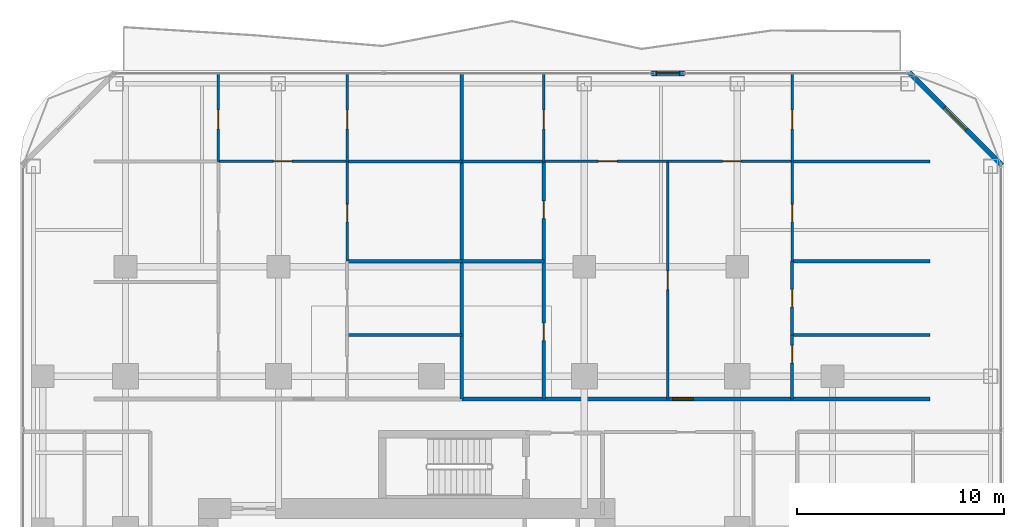
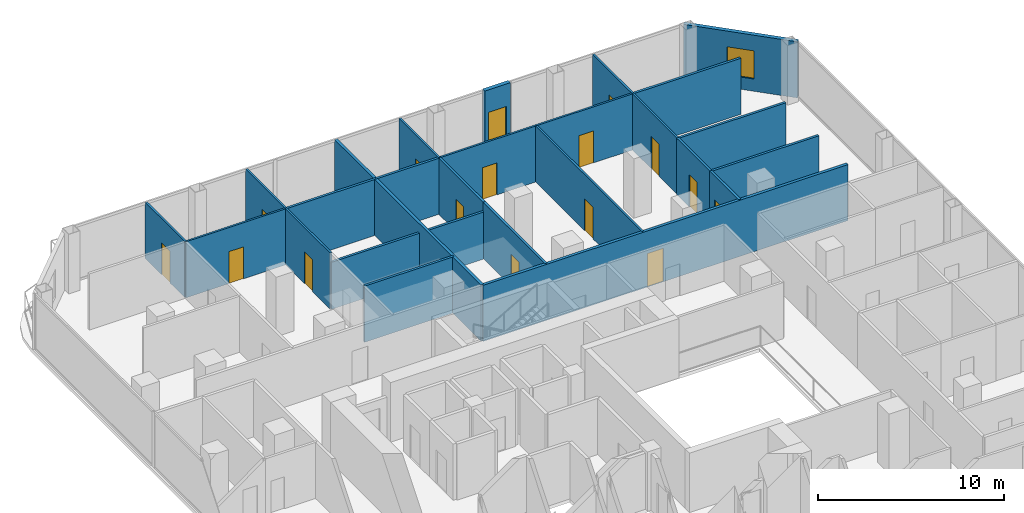
# One storey, part 23 of 27: 26 walls, 16 doors, 1 window, 17 openings.
"""IFC4 building model written with IfcOpenShell, lengths in metres."""

from ifc_helpers import new_model, si_unit, direction, frame, frame_2d, origin, place, context, subcontext, project, spatial, rectangle, extrude, material, layer, layer_set, type_object, element, fill, save


model = new_model("IFC4")

# Units and contexts
model_context = context("Model", 3, precision=1e-05, world=origin(), true_north=direction((0.0, 1.0)))
body_context = subcontext(model_context, "Body", "Model", "MODEL_VIEW")
ifc_project = project(units=[si_unit("LENGTHUNIT", "METRE"), si_unit("AREAUNIT", "SQUARE_METRE"), si_unit("VOLUMEUNIT", "CUBIC_METRE"), si_unit("PLANEANGLEUNIT", "RADIAN"), si_unit("MASSUNIT", "GRAM", prefix="KILO")], contexts=[model_context])

# Site, building, storey
site_placement = place(None, origin())
site = spatial("IfcSite", under=ifc_project, at=site_placement, CompositionType="ELEMENT")
building_placement = place(site_placement, origin())
building = spatial("IfcBuilding", under=site, at=building_placement, Name="Khorvyn Point Tower", CompositionType="ELEMENT")
storey_placement = place(building_placement, frame((0.0, 0.0, 129.0)))
storey = spatial("IfcBuildingStorey", under=building, at=storey_placement, Name="L32", CompositionType="ELEMENT", Elevation=129.0)

# Wall, opening, door
ifc_material_1 = material(Name="Double acoustic gypsum on twin steel stud", Category="steel")
ifc_layer_1 = layer(ifc_material_1, 0.179931640625)
ifc_layer_set_1 = layer_set([ifc_layer_1], Name="Acoustic Double-Stud Apartment Demising Wall 180")
wall_type_1 = type_object("IfcWallType", Name="Acoustic Double-Stud Apartment Demising Wall 180", PredefinedType="PARTITIONING", material=ifc_layer_set_1)
wall_1_placement = place(storey_placement, frame((1.47412109375, 13.699951171875, 0.0), z_axis=(0.0, 0.0, 1.0), x_axis=(1.0, 0.0, 0.0)))
wall_1 = element("IfcWall", 1, at=wall_1_placement, inside=storey, type_object=wall_type_1, Name="Wall", PredefinedType="PARTITIONING", context=body_context, shape_type="SweptSolid", body=[
    extrude(rectangle(XDim=22.64599609375, YDim=0.179931640625, at=frame_2d((11.322998046875, 0.0))), origin(), (0.0, 0.0, 1.0), 3.679931640625),
])
opening_1_placement = place(wall_1_placement, frame((10.19580078125, 0.0, 0.0)))
opening_1 = element("IfcOpeningElement", 2, at=opening_1_placement, cuts=wall_1, Name="Opening ID-AP60", PredefinedType="OPENING", context=body_context, shape_type="SweptSolid", body=[
    extrude(rectangle(XDim=1.0, YDim=2.199951171875, at=frame_2d((0.5, 1.10009765625))), frame((0.0, 0.099853515625, 0.0), z_axis=(0.0, -1.0, 0.0), x_axis=(1.0, 0.0, 0.0)), (0.0, 0.0, 1.0), 0.199951171875),
])
ifc_material_2 = material(Name="Engineered hardwood fire-rated leaf", Category="wood")
door_type_1 = type_object("IfcDoorType", Name="Acoustic Solid-Core Timber Apartment Entrance Door 1000x2200", OperationType="NOTDEFINED", PredefinedType="DOOR", material=ifc_material_2)
door_1_placement = place(opening_1_placement, origin())
door_1 = element("IfcDoor", 3, at=door_1_placement, inside=storey, type_object=door_type_1, Name="Door", OperationType="SINGLE_SWING_LEFT", OverallHeight=2.199951171875, OverallWidth=1.0, PredefinedType="DOOR", context=body_context, shape_type="SweptSolid", body=[
    extrude(rectangle(XDim=1.0, YDim=2.199951171875, at=frame_2d((0.5, 1.10009765625))), frame((0.0, 0.02490234375, 0.0), z_axis=(0.0, -1.0, 0.0), x_axis=(1.0, 0.0, 0.0)), (0.0, 0.0, 1.0), 0.050048828125),
])
fill(opening_1, door_1)

# Wall
wall_2_placement = place(storey_placement, frame((1.47412109375, 13.699951171875, 0.0), z_axis=(0.0, 0.0, 1.0), x_axis=(0.0, 1.0, 0.0)))
element("IfcWall", 4, at=wall_2_placement, inside=storey, type_object=wall_type_1, Name="Wall", PredefinedType="PARTITIONING", context=body_context, shape_type="SweptSolid", body=[
    extrude(rectangle(XDim=15.72998046875, YDim=0.179931640625, at=frame_2d((7.864990234375, 0.0))), origin(), (0.0, 0.0, 1.0), 3.679931640625),
])

# Wall, opening, door
ifc_material_3 = material(Name="Pale anodised aluminium rainscreen on steel stud", Category="steel")
ifc_layer_2 = layer(ifc_material_3, 0.239990234375)
ifc_layer_set_2 = layer_set([ifc_layer_2], Name="Anodised Aluminium Insulated Corner Spandrel Wall 240")
wall_type_2 = type_object("IfcWallType", Name="Anodised Aluminium Insulated Corner Spandrel Wall 240", PredefinedType="SOLIDWALL", material=ifc_layer_set_2)
wall_3_placement = place(storey_placement, frame((10.654052734375, 29.449951171875, 0.0), z_axis=(0.0, 0.0, 1.0), x_axis=(1.0, 0.0, 0.0)))
wall_3 = element("IfcWall", 5, at=wall_3_placement, inside=storey, type_object=wall_type_2, Name="L32 North Outdoor Threshold Wall", PredefinedType="SOLIDWALL", context=body_context, shape_type="SweptSolid", body=[
    extrude(rectangle(XDim=1.579833984375, YDim=0.239990234375, at=frame_2d((0.7900390625, 0.0))), origin(), (0.0, 0.0, 1.0), 3.679931640625),
])
opening_2_placement = place(wall_3_placement, frame((0.239990234375, 0.0, 0.0)))
opening_2 = element("IfcOpeningElement", 6, at=opening_2_placement, cuts=wall_3, Name="Opening BD-1122", PredefinedType="OPENING", context=body_context, shape_type="SweptSolid", body=[
    extrude(rectangle(XDim=1.10009765625, YDim=2.199951171875, at=frame_2d((0.550048828125, 1.10009765625))), frame((0.0, 0.1298828125, 0.0), z_axis=(0.0, -1.0, 0.0), x_axis=(1.0, 0.0, 0.0)), (0.0, 0.0, 1.0), 0.260009765625),
])
ifc_material_4 = material(Name="Anodised aluminium 6063-T6 and laminated Low-E glass", Category="aluminium")
door_type_2 = type_object("IfcDoorType", Name="Glazed Balcony and Terrace Threshold Door 1100x2200", OperationType="NOTDEFINED", PredefinedType="DOOR", material=ifc_material_4)
door_2_placement = place(opening_2_placement, origin())
door_2 = element("IfcDoor", 7, at=door_2_placement, inside=storey, type_object=door_type_2, Name="L32 North Glazed Balcony Outdoor Door", OperationType="SINGLE_SWING_LEFT", OverallHeight=2.199951171875, OverallWidth=1.10009765625, PredefinedType="DOOR", context=body_context, shape_type="SweptSolid", body=[
    extrude(rectangle(XDim=1.10009765625, YDim=2.199951171875, at=frame_2d((0.550048828125, 1.10009765625))), frame((0.0, 0.02490234375, 0.0), z_axis=(0.0, -1.0, 0.0), x_axis=(1.0, 0.0, 0.0)), (0.0, 0.0, 1.0), 0.050048828125),
])
fill(opening_2, door_2)

# Wall, opening, window
wall_4_placement = place(storey_placement, frame((23.107666015625, 29.492431640625, 0.0), z_axis=(0.0, 0.0, 1.0), x_axis=(0.707087534163, -0.707126027686, 0.0)))
wall_4 = element("IfcWall", 8, at=wall_4_placement, inside=storey, type_object=wall_type_2, Name="L32 Rounded Corner Wall NE", PredefinedType="SOLIDWALL", context=body_context, shape_type="SweptSolid", body=[
    extrude(rectangle(XDim=6.34228515625, YDim=0.239990234375, at=frame_2d((3.171142578125, 0.0))), origin(), (0.0, 0.0, 1.0), 3.679931640625),
])
opening_3_placement = place(wall_4_placement, frame((2.42138671875, 0.0, 0.800048828125)))
opening_3 = element("IfcOpeningElement", 9, at=opening_3_placement, cuts=wall_4, Name="Opening WN-1518", PredefinedType="OPENING", context=body_context, shape_type="SweptSolid", body=[
    extrude(rectangle(XDim=1.5, YDim=1.85009765625, at=frame_2d((0.75, 0.925048828125))), frame((0.0, 0.1298828125, 0.0), z_axis=(0.0, -1.0, 0.0), x_axis=(1.0, 0.0, 0.0)), (0.0, 0.0, 1.0), 0.260009765625),
])
window_type = type_object("IfcWindowType", Name="Anodised Aluminium Rounded-Corner Panoramic Window 1500x1850", PartitioningType="SINGLE_PANEL", PredefinedType="WINDOW", material=ifc_material_4)
window_placement = place(opening_3_placement, origin())
window = element("IfcWindow", 10, at=window_placement, inside=storey, type_object=window_type, Name="L32 Corner Panoramic Window NE", OverallHeight=1.85009765625, OverallWidth=1.5, PartitioningType="SINGLE_PANEL", PredefinedType="WINDOW", context=body_context, shape_type="SweptSolid", body=[
    extrude(rectangle(XDim=1.5, YDim=1.85009765625, at=frame_2d((0.75, 0.925048828125))), frame((0.0, 0.030029296875, 0.0), z_axis=(0.0, -1.0, 0.0), x_axis=(1.0, 0.0, 0.0)), (0.0, 0.0, 1.0), 0.06005859375),
])
fill(opening_3, window)

# Wall, opening, door
ifc_material_5 = material(Name="Gypsum plasterboard on steel stud", Category="steel")
ifc_layer_3 = layer(ifc_material_5, 0.1201171875)
ifc_layer_set_3 = layer_set([ifc_layer_3], Name="Gypsum Acoustic Stud Room Partition Wall 120")
wall_type_3 = type_object("IfcWallType", Name="Gypsum Acoustic Stud Room Partition Wall 120", PredefinedType="PARTITIONING", material=ifc_layer_set_3)
wall_5_placement = place(storey_placement, frame((-10.305908203125, 25.18994140625, 0.0), z_axis=(0.0, 0.0, 1.0), x_axis=(1.0, 0.0, 0.0)))
wall_5 = element("IfcWall", 11, at=wall_5_placement, inside=storey, type_object=wall_type_3, Name="Wall", PredefinedType="PARTITIONING", context=body_context, shape_type="SweptSolid", body=[
    extrude(rectangle(XDim=6.22802734375, YDim=0.1201171875, at=frame_2d((3.114013671875, 0.0))), origin(), (0.0, 0.0, 1.0), 3.679931640625),
])
opening_4_placement = place(wall_5_placement, frame((2.6640625, 0.0, 0.0)))
opening_4 = element("IfcOpeningElement", 12, at=opening_4_placement, cuts=wall_5, Name="Opening ID-RM90", PredefinedType="OPENING", context=body_context, shape_type="SweptSolid", body=[
    extrude(rectangle(XDim=0.89990234375, YDim=2.10009765625, at=frame_2d((0.449951171875, 1.050048828125))), frame((0.0, 0.070068359375, 0.0), z_axis=(0.0, -1.0, 0.0), x_axis=(1.0, 0.0, 0.0)), (0.0, 0.0, 1.0), 0.14013671875),
])
ifc_material_6 = material(Name="Engineered oak veneer timber", Category="wood")
door_type_3 = type_object("IfcDoorType", Name="Flush Engineered Timber Room Door 900x2100", OperationType="NOTDEFINED", PredefinedType="DOOR", material=ifc_material_6)
door_3_placement = place(opening_4_placement, origin())
door_3 = element("IfcDoor", 13, at=door_3_placement, inside=storey, type_object=door_type_3, Name="Door", OperationType="SINGLE_SWING_LEFT", OverallHeight=2.10009765625, OverallWidth=0.89990234375, PredefinedType="DOOR", context=body_context, shape_type="SweptSolid", body=[
    extrude(rectangle(XDim=0.89990234375, YDim=2.10009765625, at=frame_2d((0.449951171875, 1.050048828125))), frame((0.0, 0.02490234375, 0.0), z_axis=(0.0, -1.0, 0.0), x_axis=(1.0, 0.0, 0.0)), (0.0, 0.0, 1.0), 0.050048828125),
])
fill(opening_4, door_3)

wall_6_placement = place(storey_placement, frame((-10.305908203125, 25.18994140625, 0.0), z_axis=(0.0, 0.0, 1.0), x_axis=(0.0, 1.0, 0.0)))
wall_6 = element("IfcWall", 14, at=wall_6_placement, inside=storey, type_object=wall_type_3, Name="Wall", PredefinedType="PARTITIONING", context=body_context, shape_type="SweptSolid", body=[
    extrude(rectangle(XDim=4.239990234375, YDim=0.1201171875, at=frame_2d((2.1201171875, 0.0))), origin(), (0.0, 0.0, 1.0), 3.679931640625),
])
opening_5_placement = place(wall_6_placement, frame((1.581298828125, 0.0, 0.0)))
opening_5 = element("IfcOpeningElement", 15, at=opening_5_placement, cuts=wall_6, Name="Opening ID-RM90", PredefinedType="OPENING", context=body_context, shape_type="SweptSolid", body=[
    extrude(rectangle(XDim=0.89990234375, YDim=2.10009765625, at=frame_2d((0.449951171875, 1.050048828125))), frame((0.0, 0.070068359375, 0.0), z_axis=(0.0, -1.0, 0.0), x_axis=(1.0, 0.0, 0.0)), (0.0, 0.0, 1.0), 0.14013671875),
])
door_4_placement = place(opening_5_placement, origin())
door_4 = element("IfcDoor", 16, at=door_4_placement, inside=storey, type_object=door_type_3, Name="Door", OperationType="SINGLE_SWING_RIGHT", OverallHeight=2.10009765625, OverallWidth=0.89990234375, PredefinedType="DOOR", context=body_context, shape_type="SweptSolid", body=[
    extrude(rectangle(XDim=0.89990234375, YDim=2.10009765625, at=frame_2d((0.449951171875, 1.050048828125))), frame((0.0, 0.02490234375, 0.0), z_axis=(0.0, -1.0, 0.0), x_axis=(1.0, 0.0, 0.0)), (0.0, 0.0, 1.0), 0.050048828125),
])
fill(opening_5, door_4)

wall_7_placement = place(storey_placement, frame((-4.077880859375, 20.364013671875, 0.0), z_axis=(0.0, 0.0, 1.0), x_axis=(0.0, 1.0, 0.0)))
wall_7 = element("IfcWall", 17, at=wall_7_placement, inside=storey, type_object=wall_type_3, Name="Wall", PredefinedType="PARTITIONING", context=body_context, shape_type="SweptSolid", body=[
    extrude(rectangle(XDim=4.825927734375, YDim=0.1201171875, at=frame_2d((2.4130859375, 0.0))), origin(), (0.0, 0.0, 1.0), 3.679931640625),
])
opening_6_placement = place(wall_7_placement, frame((1.90087890625, 0.0, 0.0)))
opening_6 = element("IfcOpeningElement", 18, at=opening_6_placement, cuts=wall_7, Name="Opening ID-WC85", PredefinedType="OPENING", context=body_context, shape_type="SweptSolid", body=[
    extrude(rectangle(XDim=0.85009765625, YDim=2.10009765625, at=frame_2d((0.425048828125, 1.050048828125))), frame((0.0, 0.070068359375, 0.0), z_axis=(0.0, -1.0, 0.0), x_axis=(1.0, 0.0, 0.0)), (0.0, 0.0, 1.0), 0.14013671875),
])
ifc_material_7 = material(Name="High-pressure laminate on moisture-resistant core", Category="wood")
door_type_4 = type_object("IfcDoorType", Name="Moisture-Resistant Accessible Washroom Door 850x2100", OperationType="NOTDEFINED", PredefinedType="DOOR", material=ifc_material_7)
door_5_placement = place(opening_6_placement, origin())
door_5 = element("IfcDoor", 19, at=door_5_placement, inside=storey, type_object=door_type_4, Name="Door", OperationType="SINGLE_SWING_LEFT", OverallHeight=2.10009765625, OverallWidth=0.85009765625, PredefinedType="DOOR", context=body_context, shape_type="SweptSolid", body=[
    extrude(rectangle(XDim=0.85009765625, YDim=2.10009765625, at=frame_2d((0.425048828125, 1.050048828125))), frame((0.0, 0.02490234375, 0.0), z_axis=(0.0, -1.0, 0.0), x_axis=(1.0, 0.0, 0.0)), (0.0, 0.0, 1.0), 0.050048828125),
])
fill(opening_6, door_5)

wall_8_placement = place(storey_placement, frame((-4.077880859375, 25.18994140625, 0.0), z_axis=(0.0, 0.0, 1.0), x_axis=(0.0, 1.0, 0.0)))
wall_8 = element("IfcWall", 20, at=wall_8_placement, inside=storey, type_object=wall_type_3, Name="Wall", PredefinedType="PARTITIONING", context=body_context, shape_type="SweptSolid", body=[
    extrude(rectangle(XDim=4.239990234375, YDim=0.1201171875, at=frame_2d((2.1201171875, 0.0))), origin(), (0.0, 0.0, 1.0), 3.679931640625),
])
opening_7_placement = place(wall_8_placement, frame((1.581298828125, 0.0, 0.0)))
opening_7 = element("IfcOpeningElement", 21, at=opening_7_placement, cuts=wall_8, Name="Opening ID-RM90", PredefinedType="OPENING", context=body_context, shape_type="SweptSolid", body=[
    extrude(rectangle(XDim=0.89990234375, YDim=2.10009765625, at=frame_2d((0.449951171875, 1.050048828125))), frame((0.0, 0.070068359375, 0.0), z_axis=(0.0, -1.0, 0.0), x_axis=(1.0, 0.0, 0.0)), (0.0, 0.0, 1.0), 0.14013671875),
])
door_6_placement = place(opening_7_placement, origin())
door_6 = element("IfcDoor", 22, at=door_6_placement, inside=storey, type_object=door_type_3, Name="Door", OperationType="SINGLE_SWING_RIGHT", OverallHeight=2.10009765625, OverallWidth=0.89990234375, PredefinedType="DOOR", context=body_context, shape_type="SweptSolid", body=[
    extrude(rectangle(XDim=0.89990234375, YDim=2.10009765625, at=frame_2d((0.449951171875, 1.050048828125))), frame((0.0, 0.02490234375, 0.0), z_axis=(0.0, -1.0, 0.0), x_axis=(1.0, 0.0, 0.0)), (0.0, 0.0, 1.0), 0.050048828125),
])
fill(opening_7, door_6)

wall_9_placement = place(storey_placement, frame((5.43798828125, 25.18994140625, 0.0), z_axis=(0.0, 0.0, 1.0), x_axis=(1.0, 0.0, 0.0)))
wall_9 = element("IfcWall", 23, at=wall_9_placement, inside=storey, type_object=wall_type_3, Name="Wall", PredefinedType="PARTITIONING", context=body_context, shape_type="SweptSolid", body=[
    extrude(rectangle(XDim=6.006103515625, YDim=0.1201171875, at=frame_2d((3.0029296875, 0.0))), origin(), (0.0, 0.0, 1.0), 3.679931640625),
])
opening_8_placement = place(wall_9_placement, frame((2.6416015625, 0.0, 0.0)))
opening_8 = element("IfcOpeningElement", 24, at=opening_8_placement, cuts=wall_9, Name="Opening ID-RM90", PredefinedType="OPENING", context=body_context, shape_type="SweptSolid", body=[
    extrude(rectangle(XDim=0.89990234375, YDim=2.10009765625, at=frame_2d((0.449951171875, 1.050048828125))), frame((0.0, 0.070068359375, 0.0), z_axis=(0.0, -1.0, 0.0), x_axis=(1.0, 0.0, 0.0)), (0.0, 0.0, 1.0), 0.14013671875),
])
door_7_placement = place(opening_8_placement, origin())
door_7 = element("IfcDoor", 25, at=door_7_placement, inside=storey, type_object=door_type_3, Name="Door", OperationType="SINGLE_SWING_RIGHT", OverallHeight=2.10009765625, OverallWidth=0.89990234375, PredefinedType="DOOR", context=body_context, shape_type="SweptSolid", body=[
    extrude(rectangle(XDim=0.89990234375, YDim=2.10009765625, at=frame_2d((0.449951171875, 1.050048828125))), frame((0.0, 0.02490234375, 0.0), z_axis=(0.0, -1.0, 0.0), x_axis=(1.0, 0.0, 0.0)), (0.0, 0.0, 1.0), 0.050048828125),
])
fill(opening_8, door_7)

wall_10_placement = place(storey_placement, frame((11.444091796875, 25.18994140625, 0.0), z_axis=(0.0, 0.0, 1.0), x_axis=(1.0, 0.0, 0.0)))
wall_10 = element("IfcWall", 26, at=wall_10_placement, inside=storey, type_object=wall_type_3, Name="Wall", PredefinedType="PARTITIONING", context=body_context, shape_type="SweptSolid", body=[
    extrude(rectangle(XDim=6.005859375, YDim=0.1201171875, at=frame_2d((3.0029296875, 0.0))), origin(), (0.0, 0.0, 1.0), 3.679931640625),
])
opening_9_placement = place(wall_10_placement, frame((2.6416015625, 0.0, 0.0)))
opening_9 = element("IfcOpeningElement", 27, at=opening_9_placement, cuts=wall_10, Name="Opening ID-RM90", PredefinedType="OPENING", context=body_context, shape_type="SweptSolid", body=[
    extrude(rectangle(XDim=0.89990234375, YDim=2.10009765625, at=frame_2d((0.449951171875, 1.050048828125))), frame((0.0, 0.070068359375, 0.0), z_axis=(0.0, -1.0, 0.0), x_axis=(1.0, 0.0, 0.0)), (0.0, 0.0, 1.0), 0.14013671875),
])
door_8_placement = place(opening_9_placement, origin())
door_8 = element("IfcDoor", 28, at=door_8_placement, inside=storey, type_object=door_type_3, Name="Door", OperationType="SINGLE_SWING_LEFT", OverallHeight=2.10009765625, OverallWidth=0.89990234375, PredefinedType="DOOR", context=body_context, shape_type="SweptSolid", body=[
    extrude(rectangle(XDim=0.89990234375, YDim=2.10009765625, at=frame_2d((0.449951171875, 1.050048828125))), frame((0.0, 0.02490234375, 0.0), z_axis=(0.0, -1.0, 0.0), x_axis=(1.0, 0.0, 0.0)), (0.0, 0.0, 1.0), 0.050048828125),
])
fill(opening_9, door_8)

wall_11_placement = place(storey_placement, frame((11.444091796875, 13.699951171875, 0.0), z_axis=(0.0, 0.0, 1.0), x_axis=(0.0, 1.0, 0.0)))
wall_11 = element("IfcWall", 29, at=wall_11_placement, inside=storey, type_object=wall_type_3, Name="Wall", PredefinedType="PARTITIONING", context=body_context, shape_type="SweptSolid", body=[
    extrude(rectangle(XDim=11.489990234375, YDim=0.1201171875, at=frame_2d((5.7451171875, 0.0))), origin(), (0.0, 0.0, 1.0), 3.679931640625),
])
opening_10_placement = place(wall_11_placement, frame((5.294921875, 0.0, 0.0)))
opening_10 = element("IfcOpeningElement", 30, at=opening_10_placement, cuts=wall_11, Name="Opening ID-RM90", PredefinedType="OPENING", context=body_context, shape_type="SweptSolid", body=[
    extrude(rectangle(XDim=0.89990234375, YDim=2.10009765625, at=frame_2d((0.449951171875, 1.050048828125))), frame((0.0, 0.070068359375, 0.0), z_axis=(0.0, -1.0, 0.0), x_axis=(1.0, 0.0, 0.0)), (0.0, 0.0, 1.0), 0.14013671875),
])
door_9_placement = place(opening_10_placement, origin())
door_9 = element("IfcDoor", 31, at=door_9_placement, inside=storey, type_object=door_type_3, Name="Door", OperationType="SINGLE_SWING_RIGHT", OverallHeight=2.10009765625, OverallWidth=0.89990234375, PredefinedType="DOOR", context=body_context, shape_type="SweptSolid", body=[
    extrude(rectangle(XDim=0.89990234375, YDim=2.10009765625, at=frame_2d((0.449951171875, 1.050048828125))), frame((0.0, 0.02490234375, 0.0), z_axis=(0.0, -1.0, 0.0), x_axis=(1.0, 0.0, 0.0)), (0.0, 0.0, 1.0), 0.050048828125),
])
fill(opening_10, door_9)

wall_12_placement = place(storey_placement, frame((5.43798828125, 25.18994140625, 0.0), z_axis=(0.0, 0.0, 1.0), x_axis=(0.0, 1.0, 0.0)))
wall_12 = element("IfcWall", 32, at=wall_12_placement, inside=storey, type_object=wall_type_3, Name="Wall", PredefinedType="PARTITIONING", context=body_context, shape_type="SweptSolid", body=[
    extrude(rectangle(XDim=4.239990234375, YDim=0.1201171875, at=frame_2d((2.1201171875, 0.0))), origin(), (0.0, 0.0, 1.0), 3.679931640625),
])
opening_11_placement = place(wall_12_placement, frame((1.581298828125, 0.0, 0.0)))
opening_11 = element("IfcOpeningElement", 33, at=opening_11_placement, cuts=wall_12, Name="Opening ID-RM90", PredefinedType="OPENING", context=body_context, shape_type="SweptSolid", body=[
    extrude(rectangle(XDim=0.89990234375, YDim=2.10009765625, at=frame_2d((0.449951171875, 1.050048828125))), frame((0.0, 0.070068359375, 0.0), z_axis=(0.0, -1.0, 0.0), x_axis=(1.0, 0.0, 0.0)), (0.0, 0.0, 1.0), 0.14013671875),
])
door_10_placement = place(opening_11_placement, origin())
door_10 = element("IfcDoor", 34, at=door_10_placement, inside=storey, type_object=door_type_3, Name="Door", OperationType="SINGLE_SWING_LEFT", OverallHeight=2.10009765625, OverallWidth=0.89990234375, PredefinedType="DOOR", context=body_context, shape_type="SweptSolid", body=[
    extrude(rectangle(XDim=0.89990234375, YDim=2.10009765625, at=frame_2d((0.449951171875, 1.050048828125))), frame((0.0, 0.02490234375, 0.0), z_axis=(0.0, -1.0, 0.0), x_axis=(1.0, 0.0, 0.0)), (0.0, 0.0, 1.0), 0.050048828125),
])
fill(opening_11, door_10)

wall_13_placement = place(storey_placement, frame((17.449951171875, 20.364013671875, 0.0), z_axis=(0.0, 0.0, 1.0), x_axis=(0.0, 1.0, 0.0)))
wall_13 = element("IfcWall", 35, at=wall_13_placement, inside=storey, type_object=wall_type_3, Name="Wall", PredefinedType="PARTITIONING", context=body_context, shape_type="SweptSolid", body=[
    extrude(rectangle(XDim=4.825927734375, YDim=0.1201171875, at=frame_2d((2.4130859375, 0.0))), origin(), (0.0, 0.0, 1.0), 3.679931640625),
])
opening_12_placement = place(wall_13_placement, frame((1.90087890625, 0.0, 0.0)))
opening_12 = element("IfcOpeningElement", 36, at=opening_12_placement, cuts=wall_13, Name="Opening ID-WC85", PredefinedType="OPENING", context=body_context, shape_type="SweptSolid", body=[
    extrude(rectangle(XDim=0.85009765625, YDim=2.10009765625, at=frame_2d((0.425048828125, 1.050048828125))), frame((0.0, 0.070068359375, 0.0), z_axis=(0.0, -1.0, 0.0), x_axis=(1.0, 0.0, 0.0)), (0.0, 0.0, 1.0), 0.14013671875),
])
door_11_placement = place(opening_12_placement, origin())
door_11 = element("IfcDoor", 37, at=door_11_placement, inside=storey, type_object=door_type_4, Name="Door", OperationType="SINGLE_SWING_RIGHT", OverallHeight=2.10009765625, OverallWidth=0.85009765625, PredefinedType="DOOR", context=body_context, shape_type="SweptSolid", body=[
    extrude(rectangle(XDim=0.85009765625, YDim=2.10009765625, at=frame_2d((0.425048828125, 1.050048828125))), frame((0.0, 0.02490234375, 0.0), z_axis=(0.0, -1.0, 0.0), x_axis=(1.0, 0.0, 0.0)), (0.0, 0.0, 1.0), 0.050048828125),
])
fill(opening_12, door_11)

wall_14_placement = place(storey_placement, frame((17.449951171875, 25.18994140625, 0.0), z_axis=(0.0, 0.0, 1.0), x_axis=(0.0, 1.0, 0.0)))
wall_14 = element("IfcWall", 38, at=wall_14_placement, inside=storey, type_object=wall_type_3, Name="Wall", PredefinedType="PARTITIONING", context=body_context, shape_type="SweptSolid", body=[
    extrude(rectangle(XDim=4.239990234375, YDim=0.1201171875, at=frame_2d((2.1201171875, 0.0))), origin(), (0.0, 0.0, 1.0), 3.679931640625),
])
opening_13_placement = place(wall_14_placement, frame((1.581298828125, 0.0, 0.0)))
opening_13 = element("IfcOpeningElement", 39, at=opening_13_placement, cuts=wall_14, Name="Opening ID-RM90", PredefinedType="OPENING", context=body_context, shape_type="SweptSolid", body=[
    extrude(rectangle(XDim=0.89990234375, YDim=2.10009765625, at=frame_2d((0.449951171875, 1.050048828125))), frame((0.0, 0.070068359375, 0.0), z_axis=(0.0, -1.0, 0.0), x_axis=(1.0, 0.0, 0.0)), (0.0, 0.0, 1.0), 0.14013671875),
])
door_12_placement = place(opening_13_placement, origin())
door_12 = element("IfcDoor", 40, at=door_12_placement, inside=storey, type_object=door_type_3, Name="Door", OperationType="SINGLE_SWING_LEFT", OverallHeight=2.10009765625, OverallWidth=0.89990234375, PredefinedType="DOOR", context=body_context, shape_type="SweptSolid", body=[
    extrude(rectangle(XDim=0.89990234375, YDim=2.10009765625, at=frame_2d((0.449951171875, 1.050048828125))), frame((0.0, 0.02490234375, 0.0), z_axis=(0.0, -1.0, 0.0), x_axis=(1.0, 0.0, 0.0)), (0.0, 0.0, 1.0), 0.050048828125),
])
fill(opening_13, door_12)

ifc_material_8 = material(Name="Moisture-resistant gypsum and cement board", Category="gypsum")
ifc_layer_4 = layer(ifc_material_8, 0.14990234375)
ifc_layer_set_4 = layer_set([ifc_layer_4], Name="Moisture-Resistant Wet-Room Partition Wall 150")
wall_type_4 = type_object("IfcWallType", Name="Moisture-Resistant Wet-Room Partition Wall 150", PredefinedType="PARTITIONING", material=ifc_layer_set_4)
wall_15_placement = place(storey_placement, frame((5.43798828125, 13.699951171875, 0.0), z_axis=(0.0, 0.0, 1.0), x_axis=(0.0, 1.0, 0.0)))
wall_15 = element("IfcWall", 41, at=wall_15_placement, inside=storey, type_object=wall_type_4, Name="Wall", PredefinedType="PARTITIONING", context=body_context, shape_type="SweptSolid", body=[
    extrude(rectangle(XDim=6.6640625, YDim=0.14990234375, at=frame_2d((3.33203125, 0.0))), origin(), (0.0, 0.0, 1.0), 3.679931640625),
])
opening_14_placement = place(wall_15_placement, frame((2.818359375, 0.0, 0.0)))
opening_14 = element("IfcOpeningElement", 42, at=opening_14_placement, cuts=wall_15, Name="Opening ID-WC85", PredefinedType="OPENING", context=body_context, shape_type="SweptSolid", body=[
    extrude(rectangle(XDim=0.85009765625, YDim=2.10009765625, at=frame_2d((0.425048828125, 1.050048828125))), frame((0.0, 0.0849609375, 0.0), z_axis=(0.0, -1.0, 0.0), x_axis=(1.0, 0.0, 0.0)), (0.0, 0.0, 1.0), 0.169921875),
])
door_13_placement = place(opening_14_placement, origin())
door_13 = element("IfcDoor", 43, at=door_13_placement, inside=storey, type_object=door_type_4, Name="Door", OperationType="SINGLE_SWING_LEFT", OverallHeight=2.10009765625, OverallWidth=0.85009765625, PredefinedType="DOOR", context=body_context, shape_type="SweptSolid", body=[
    extrude(rectangle(XDim=0.85009765625, YDim=2.10009765625, at=frame_2d((0.425048828125, 1.050048828125))), frame((0.0, 0.02490234375, 0.0), z_axis=(0.0, -1.0, 0.0), x_axis=(1.0, 0.0, 0.0)), (0.0, 0.0, 1.0), 0.050048828125),
])
fill(opening_14, door_13)

wall_16_placement = place(storey_placement, frame((5.43798828125, 20.364013671875, 0.0), z_axis=(0.0, 0.0, 1.0), x_axis=(0.0, 1.0, 0.0)))
wall_16 = element("IfcWall", 44, at=wall_16_placement, inside=storey, type_object=wall_type_4, Name="Wall", PredefinedType="PARTITIONING", context=body_context, shape_type="SweptSolid", body=[
    extrude(rectangle(XDim=4.825927734375, YDim=0.14990234375, at=frame_2d((2.4130859375, 0.0))), origin(), (0.0, 0.0, 1.0), 3.679931640625),
])
opening_15_placement = place(wall_16_placement, frame((2.074951171875, 0.0, 0.0)))
opening_15 = element("IfcOpeningElement", 45, at=opening_15_placement, cuts=wall_16, Name="Opening ID-WC85", PredefinedType="OPENING", context=body_context, shape_type="SweptSolid", body=[
    extrude(rectangle(XDim=0.85009765625, YDim=2.10009765625, at=frame_2d((0.425048828125, 1.050048828125))), frame((0.0, 0.0849609375, 0.0), z_axis=(0.0, -1.0, 0.0), x_axis=(1.0, 0.0, 0.0)), (0.0, 0.0, 1.0), 0.169921875),
])
door_14_placement = place(opening_15_placement, origin())
door_14 = element("IfcDoor", 46, at=door_14_placement, inside=storey, type_object=door_type_4, Name="Door", OperationType="SINGLE_SWING_RIGHT", OverallHeight=2.10009765625, OverallWidth=0.85009765625, PredefinedType="DOOR", context=body_context, shape_type="SweptSolid", body=[
    extrude(rectangle(XDim=0.85009765625, YDim=2.10009765625, at=frame_2d((0.425048828125, 1.050048828125))), frame((0.0, 0.02490234375, 0.0), z_axis=(0.0, -1.0, 0.0), x_axis=(1.0, 0.0, 0.0)), (0.0, 0.0, 1.0), 0.050048828125),
])
fill(opening_15, door_14)

wall_17_placement = place(storey_placement, frame((17.449951171875, 13.699951171875, 0.0), z_axis=(0.0, 0.0, 1.0), x_axis=(0.0, 1.0, 0.0)))
wall_17 = element("IfcWall", 47, at=wall_17_placement, inside=storey, type_object=wall_type_4, Name="Wall", PredefinedType="PARTITIONING", context=body_context, shape_type="SweptSolid", body=[
    extrude(rectangle(XDim=3.10205078125, YDim=0.14990234375, at=frame_2d((1.551025390625, 0.0))), origin(), (0.0, 0.0, 1.0), 3.679931640625),
])
opening_16_placement = place(wall_17_placement, frame((1.74072265625, 0.0, 0.0)))
opening_16 = element("IfcOpeningElement", 48, at=opening_16_placement, cuts=wall_17, Name="Opening ID-WC85", PredefinedType="OPENING", context=body_context, shape_type="SweptSolid", body=[
    extrude(rectangle(XDim=0.85009765625, YDim=2.10009765625, at=frame_2d((0.425048828125, 1.050048828125))), frame((0.0, 0.0849609375, 0.0), z_axis=(0.0, -1.0, 0.0), x_axis=(1.0, 0.0, 0.0)), (0.0, 0.0, 1.0), 0.169921875),
])
door_15_placement = place(opening_16_placement, origin())
door_15 = element("IfcDoor", 49, at=door_15_placement, inside=storey, type_object=door_type_4, Name="Door", OperationType="SINGLE_SWING_RIGHT", OverallHeight=2.10009765625, OverallWidth=0.85009765625, PredefinedType="DOOR", context=body_context, shape_type="SweptSolid", body=[
    extrude(rectangle(XDim=0.85009765625, YDim=2.10009765625, at=frame_2d((0.425048828125, 1.050048828125))), frame((0.0, 0.02490234375, 0.0), z_axis=(0.0, -1.0, 0.0), x_axis=(1.0, 0.0, 0.0)), (0.0, 0.0, 1.0), 0.050048828125),
])
fill(opening_16, door_15)

wall_18_placement = place(storey_placement, frame((17.449951171875, 16.802001953125, 0.0), z_axis=(0.0, 0.0, 1.0), x_axis=(0.0, 1.0, 0.0)))
wall_18 = element("IfcWall", 50, at=wall_18_placement, inside=storey, type_object=wall_type_4, Name="Wall", PredefinedType="PARTITIONING", context=body_context, shape_type="SweptSolid", body=[
    extrude(rectangle(XDim=3.56201171875, YDim=0.14990234375, at=frame_2d((1.781005859375, 0.0))), origin(), (0.0, 0.0, 1.0), 3.679931640625),
])
opening_17_placement = place(wall_18_placement, frame((1.35595703125, 0.0, 0.0)))
opening_17 = element("IfcOpeningElement", 51, at=opening_17_placement, cuts=wall_18, Name="Opening ID-WC85", PredefinedType="OPENING", context=body_context, shape_type="SweptSolid", body=[
    extrude(rectangle(XDim=0.85009765625, YDim=2.10009765625, at=frame_2d((0.425048828125, 1.050048828125))), frame((0.0, 0.0849609375, 0.0), z_axis=(0.0, -1.0, 0.0), x_axis=(1.0, 0.0, 0.0)), (0.0, 0.0, 1.0), 0.169921875),
])
door_16_placement = place(opening_17_placement, origin())
door_16 = element("IfcDoor", 52, at=door_16_placement, inside=storey, type_object=door_type_4, Name="Door", OperationType="SINGLE_SWING_LEFT", OverallHeight=2.10009765625, OverallWidth=0.85009765625, PredefinedType="DOOR", context=body_context, shape_type="SweptSolid", body=[
    extrude(rectangle(XDim=0.85009765625, YDim=2.10009765625, at=frame_2d((0.425048828125, 1.050048828125))), frame((0.0, 0.02490234375, 0.0), z_axis=(0.0, -1.0, 0.0), x_axis=(1.0, 0.0, 0.0)), (0.0, 0.0, 1.0), 0.050048828125),
])
fill(opening_17, door_16)

# Walls
wall_19_placement = place(storey_placement, frame((-4.077880859375, 16.802001953125, 0.0), z_axis=(0.0, 0.0, 1.0), x_axis=(1.0, 0.0, 0.0)))
element("IfcWall", 53, at=wall_19_placement, inside=storey, type_object=wall_type_4, Name="Wall", PredefinedType="PARTITIONING", context=body_context, shape_type="SweptSolid", body=[
    extrude(rectangle(XDim=5.552001953125, YDim=0.14990234375, at=frame_2d((2.77587890625, 0.0))), origin(), (0.0, 0.0, 1.0), 3.679931640625),
])
wall_20_placement = place(storey_placement, frame((-4.077880859375, 20.364013671875, 0.0), z_axis=(0.0, 0.0, 1.0), x_axis=(1.0, 0.0, 0.0)))
element("IfcWall", 54, at=wall_20_placement, inside=storey, type_object=wall_type_4, Name="Wall", PredefinedType="PARTITIONING", context=body_context, shape_type="SweptSolid", body=[
    extrude(rectangle(XDim=5.552001953125, YDim=0.14990234375, at=frame_2d((2.77587890625, 0.0))), origin(), (0.0, 0.0, 1.0), 3.08203125),
])
wall_21_placement = place(storey_placement, frame((-4.077880859375, 25.18994140625, 0.0), z_axis=(0.0, 0.0, 1.0), x_axis=(1.0, 0.0, 0.0)))
element("IfcWall", 55, at=wall_21_placement, inside=storey, type_object=wall_type_4, Name="Wall", PredefinedType="PARTITIONING", context=body_context, shape_type="SweptSolid", body=[
    extrude(rectangle(XDim=5.552001953125, YDim=0.14990234375, at=frame_2d((2.77587890625, 0.0))), origin(), (0.0, 0.0, 1.0), 3.679931640625),
])
wall_22_placement = place(storey_placement, frame((1.47412109375, 20.364013671875, 0.0), z_axis=(0.0, 0.0, 1.0), x_axis=(1.0, 0.0, 0.0)))
element("IfcWall", 56, at=wall_22_placement, inside=storey, type_object=wall_type_4, Name="Wall", PredefinedType="PARTITIONING", context=body_context, shape_type="SweptSolid", body=[
    extrude(rectangle(XDim=3.9638671875, YDim=0.14990234375, at=frame_2d((1.98193359375, 0.0))), origin(), (0.0, 0.0, 1.0), 3.08203125),
])
wall_23_placement = place(storey_placement, frame((1.47412109375, 25.18994140625, 0.0), z_axis=(0.0, 0.0, 1.0), x_axis=(1.0, 0.0, 0.0)))
element("IfcWall", 57, at=wall_23_placement, inside=storey, type_object=wall_type_4, Name="Wall", PredefinedType="PARTITIONING", context=body_context, shape_type="SweptSolid", body=[
    extrude(rectangle(XDim=3.9638671875, YDim=0.14990234375, at=frame_2d((1.98193359375, 0.0))), origin(), (0.0, 0.0, 1.0), 3.679931640625),
])
for number, where, z_axis, x_axis, name in (
    (58, (17.449951171875, 16.802001953125, 0.0), (0.0, 0.0, 1.0), (1.0, 0.0, 0.0), "Wall"),
    (59, (17.449951171875, 20.364013671875, 0.0), (0.0, 0.0, 1.0), (1.0, 0.0, 0.0), "Wall"),
    (60, (17.449951171875, 25.18994140625, 0.0), (0.0, 0.0, 1.0), (1.0, 0.0, 0.0), "Wall"),
):
    element("IfcWall", number, at=place(storey_placement, frame(where, z_axis=z_axis, x_axis=x_axis)), inside=storey, type_object=wall_type_4, Name=name, PredefinedType="PARTITIONING", context=body_context, shape_type="SweptSolid", body=[
        extrude(rectangle(XDim=6.670166015625, YDim=0.14990234375, at=frame_2d((3.3349609375, 0.0))), origin(), (0.0, 0.0, 1.0), 3.679931640625),
    ])

save(model, "model.ifc")
